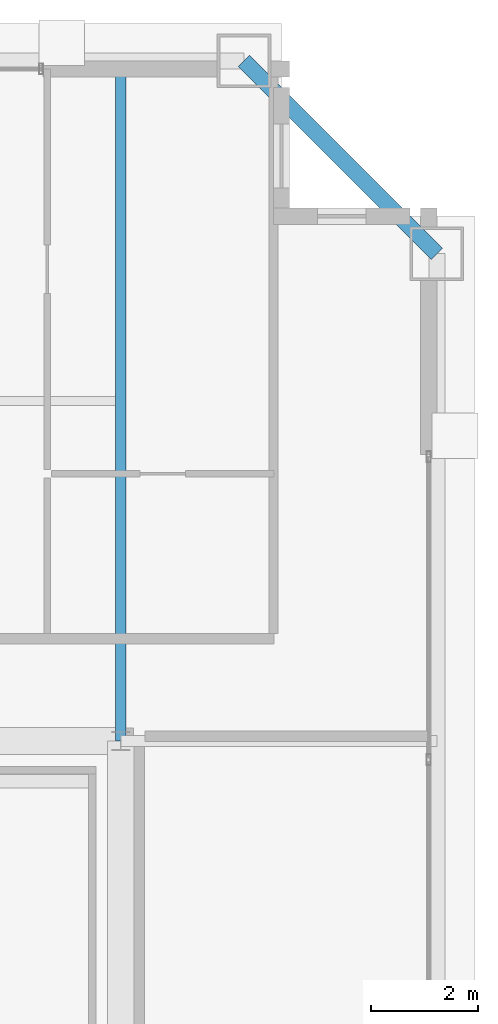
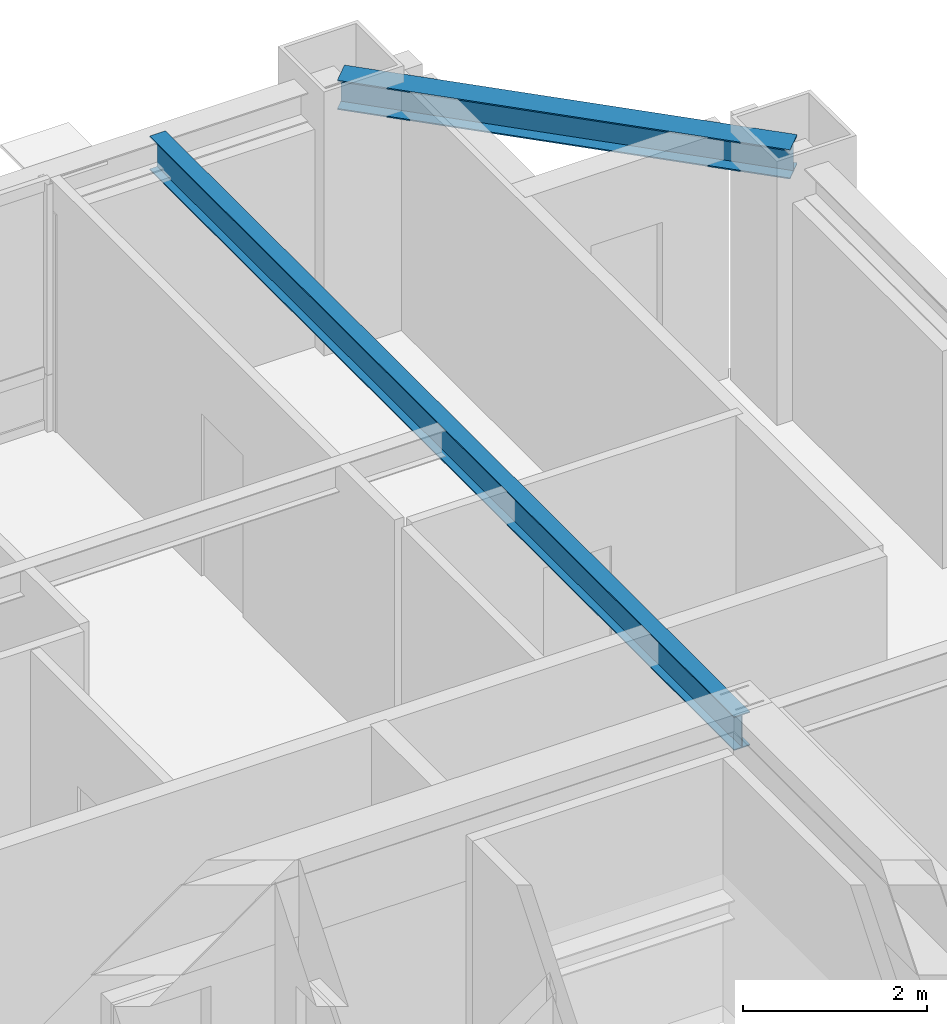
# One storey, part 20 of 35: 2 beams.
"""IFC4 building model written with IfcOpenShell, lengths in metres."""

from ifc_helpers import new_model, si_unit, direction, frame, origin, origin_2d, place, context, subcontext, project, spatial, i_section, extrude, source, transform, mapped, material, material_profile, profile_set, type_object, element, save


model = new_model("IFC4")

# Units and contexts
model_context = context("Model", 3, precision=1e-05, world=origin(), true_north=direction((0.0, 1.0)))
body_context = subcontext(model_context, "Body", "Model", "MODEL_VIEW")
ifc_project = project(units=[si_unit("LENGTHUNIT", "METRE"), si_unit("AREAUNIT", "SQUARE_METRE"), si_unit("VOLUMEUNIT", "CUBIC_METRE"), si_unit("PLANEANGLEUNIT", "RADIAN"), si_unit("MASSUNIT", "GRAM", prefix="KILO"), si_unit("THERMODYNAMICTEMPERATUREUNIT", "KELVIN"), si_unit("POWERUNIT", "WATT")], contexts=[model_context])

# Site, building, storey
site_placement = place(None, origin())
site = spatial("IfcSite", under=ifc_project, at=site_placement, CompositionType="ELEMENT")
building_placement = place(site_placement, origin())
building = spatial("IfcBuilding", under=site, at=building_placement, Name="Yuzanri Waterfront Tower", CompositionType="ELEMENT")
storey_placement = place(building_placement, frame((0.0, 0.0, 296.10009765625)))
storey = spatial("IfcBuildingStorey", under=building, at=storey_placement, Name="L79", CompositionType="ELEMENT", Elevation=296.10009765625)

# Beams
ifc_material_1 = material(Name="Steel Q355B", Category="steel")
ifc_material_profile_1 = material_profile(ifc_material_1, i_section(OverallWidth=0.300048828125, OverallDepth=0.389892578125, WebThickness=0.010009765625, FlangeThickness=0.01611328125, at=origin_2d()), Name="HM 390x300x10x16")
ifc_profile_set_1 = profile_set([ifc_material_profile_1], Name="Steel Q355B")
beam_type_1 = type_object("IfcBeamType", Name="Perimeter Spandrel Q355B HM 390x300", PredefinedType="SPANDREL", material=ifc_profile_set_1)
shared_shape_1 = source(origin(), body_context, "Body", "SweptSolid", [
    extrude(i_section(OverallWidth=0.300048828125, OverallDepth=0.389892578125, WebThickness=0.010009765625, FlangeThickness=0.01611328125, at=origin_2d()), origin(), (0.0, 0.0, 1.0), 5.091064453125),
])
beam_1_placement = place(storey_placement, frame((56.10009765625, 41.300048828125, 3.0849609375), z_axis=(-0.707130757816, 0.707082803744, 0.0), x_axis=(-0.707082803744, -0.707130757816, 0.0)))
element("IfcBeam", 1, at=beam_1_placement, inside=storey, type_object=beam_type_1, Name="L79 Perimeter Spandrel E3-N3", PredefinedType="SPANDREL", context=body_context, shape_type="MappedRepresentation", body=[
    mapped(shared_shape_1, transform((0.0, 0.0, 0.0), scale=1.0)),
])
ifc_material_2 = material(Name="Steel Q355B", Category="steel")
ifc_material_profile_2 = material_profile(ifc_material_2, i_section(OverallWidth=0.199951171875, OverallDepth=0.449951171875, WebThickness=0.009033203125, FlangeThickness=0.013916015625, at=origin_2d()), Name="HN 450x200x9x14")
ifc_profile_set_2 = profile_set([ifc_material_profile_2], Name="Steel Q355B")
beam_type_2 = type_object("IfcBeamType", Name="Secondary Floor Beam Q355B HN 450x200", PredefinedType="BEAM", material=ifc_profile_set_2)
shared_shape_2 = source(origin(), body_context, "Body", "SweptSolid", [
    extrude(i_section(OverallWidth=0.199951171875, OverallDepth=0.449951171875, WebThickness=0.009033203125, FlangeThickness=0.013916015625, at=origin_2d()), origin(), (0.0, 0.0, 1.0), 12.699951171875),
])
beam_2_placement = place(storey_placement, frame((50.199951171875, 32.199951171875, 3.054931640625), z_axis=(0.0, 1.0, 0.0), x_axis=(-1.0, 0.0, 0.0)))
element("IfcBeam", 2, at=beam_2_placement, inside=storey, type_object=beam_type_2, Name="L79 North-East Core Line Beam", PredefinedType="BEAM", context=body_context, shape_type="MappedRepresentation", body=[
    mapped(shared_shape_2, transform((0.0, 0.0, 0.0), scale=1.0)),
])

save(model, "model.ifc")
